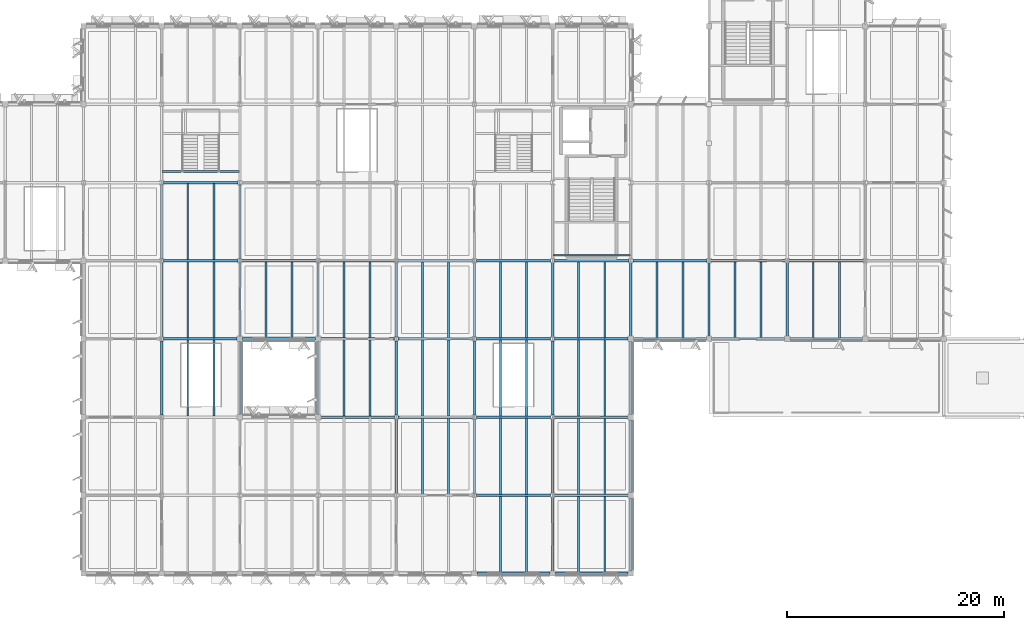
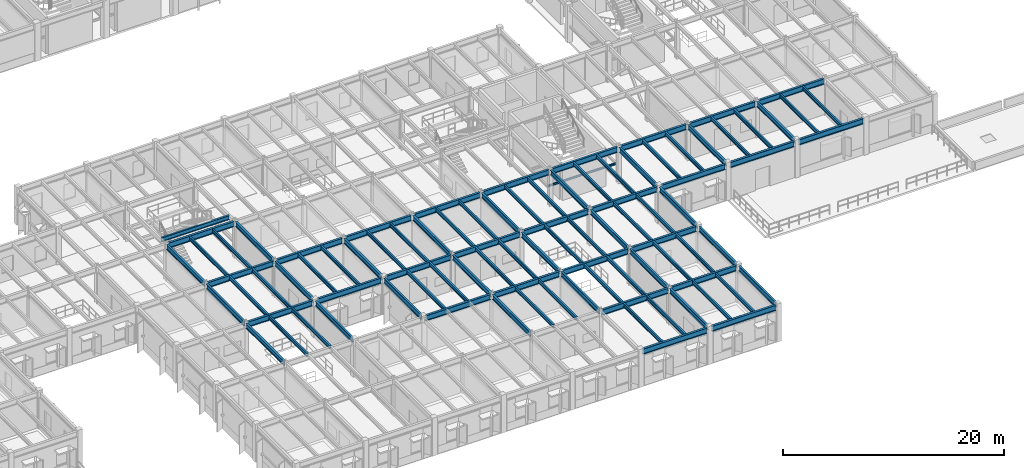
# One storey, part 18 of 85: 93 beams.
"""IFC4 building model written with IfcOpenShell, lengths in metres."""

from ifc_helpers import new_model, si_unit, direction, frame, origin, origin_2d, place, context, subcontext, project, spatial, i_section, extrude, material, material_profile, profile_set, type_object, element, save


model = new_model("IFC4")

# Units and contexts
model_context = context("Model", 3, precision=1e-05, world=origin(), true_north=direction((0.0, 1.0)))
body_context = subcontext(model_context, "Body", "Model", "MODEL_VIEW")
ifc_project = project(units=[si_unit("LENGTHUNIT", "METRE"), si_unit("AREAUNIT", "SQUARE_METRE"), si_unit("VOLUMEUNIT", "CUBIC_METRE"), si_unit("PLANEANGLEUNIT", "RADIAN"), si_unit("MASSUNIT", "GRAM", prefix="KILO")], contexts=[model_context])

# Site, building, storey
site_placement = place(None, origin())
site = spatial("IfcSite", under=ifc_project, at=site_placement, CompositionType="ELEMENT")
building_placement = place(site_placement, origin())
building = spatial("IfcBuilding", under=site, at=building_placement, Name="Sillqori Civic Hall", CompositionType="ELEMENT")
storey_placement = place(building_placement, frame((0.0, 0.0, 9.89990234375)))
storey = spatial("IfcBuildingStorey", under=building, at=storey_placement, Name="L03", CompositionType="ELEMENT", Elevation=9.89990234375)

# Beams
ifc_material = material(Name="Steel ASTM A992", Category="steel")
ifc_material_profile_1 = material_profile(ifc_material, i_section(OverallWidth=0.19091796875, OverallDepth=0.4599609375, WebThickness=0.010009765625, FlangeThickness=0.01611328125, FilletRadius=0.012939453125, at=origin_2d()), Name="W18X55")
ifc_profile_set_1 = profile_set([ifc_material_profile_1], Name="Steel ASTM A992")
beam_type_1 = type_object("IfcBeamType", Name="BM-W18X55", PredefinedType="BEAM", material=ifc_profile_set_1)
beam_1_placement = place(storey_placement, frame((72.0400390625, 44.199951171875, 3.795166015625), z_axis=(1.0, 0.0, 0.0), x_axis=(0.0, 1.0, 0.0)))
element("IfcBeam", 1, at=beam_1_placement, inside=storey, type_object=beam_type_1, Name="Wedge Atrium Upper West Stair L03-L04 upper arrival trimmer beam", PredefinedType="BEAM", context=body_context, shape_type="SweptSolid", body=[
    extrude(i_section(OverallWidth=0.19091796875, OverallDepth=0.4599609375, WebThickness=0.010009765625, FlangeThickness=0.01611328125, FilletRadius=0.012939453125, at=origin_2d()), origin(), (0.0, 0.0, 1.0), 7.119873046875),
])
ifc_material_profile_2 = material_profile(ifc_material, i_section(OverallWidth=0.2099609375, OverallDepth=0.532958984375, WebThickness=0.01025390625, FlangeThickness=0.015625, FilletRadius=0.013916015625, at=origin_2d()), Name="W21X62")
ifc_profile_set_2 = profile_set([ifc_material_profile_2], Name="Steel ASTM A992")
beam_type_2 = type_object("IfcBeamType", Name="BM-W21X62", PredefinedType="BEAM", material=ifc_profile_set_2)
beam_2_placement = place(storey_placement, frame((72.0, 21.7744140625, 3.753662109375), z_axis=(0.0, 1.0, 0.0), x_axis=(-1.0, 0.0, 0.0)))
element("IfcBeam", 2, at=beam_2_placement, inside=storey, type_object=beam_type_2, Name="L03 girder Y 10-3", PredefinedType="BEAM", context=body_context, shape_type="SweptSolid", body=[
    extrude(i_section(OverallWidth=0.2099609375, OverallDepth=0.532958984375, WebThickness=0.01025390625, FlangeThickness=0.015625, FilletRadius=0.013916015625, at=origin_2d()), origin(), (0.0, 0.0, 1.0), 6.85107421875),
])
for number, where, z_axis, x_axis, name in (
    (3, (72.0, 28.974609375, 3.753662109375), (0.0, 1.0, 0.0), (-1.0, 0.0, 0.0), "L03 girder Y 10-4"),
    (4, (72.0, 36.174560546875, 3.753662109375), (0.0, 1.0, 0.0), (-1.0, 0.0, 0.0), "L03 girder Y 10-5"),
):
    element("IfcBeam", number, at=place(storey_placement, frame(where, z_axis=z_axis, x_axis=x_axis)), inside=storey, type_object=beam_type_2, Name=name, PredefinedType="BEAM", context=body_context, shape_type="SweptSolid", body=[
        extrude(i_section(OverallWidth=0.2099609375, OverallDepth=0.532958984375, WebThickness=0.01025390625, FlangeThickness=0.015625, FilletRadius=0.013916015625, at=origin_2d()), origin(), (0.0, 0.0, 1.0), 6.850830078125),
    ])
beam_3_placement = place(storey_placement, frame((79.199951171875, 21.843994140625, 3.753662109375), z_axis=(0.0, 1.0, 0.0), x_axis=(-1.0, 0.0, 0.0)))
element("IfcBeam", 5, at=beam_3_placement, inside=storey, type_object=beam_type_2, Name="L03 girder Y 11-3", PredefinedType="BEAM", context=body_context, shape_type="SweptSolid", body=[
    extrude(i_section(OverallWidth=0.2099609375, OverallDepth=0.532958984375, WebThickness=0.01025390625, FlangeThickness=0.015625, FilletRadius=0.013916015625, at=origin_2d()), origin(), (0.0, 0.0, 1.0), 6.7119140625),
])
beam_4_placement = place(storey_placement, frame((79.199951171875, 29.0439453125, 3.753662109375), z_axis=(0.0, 1.0, 0.0), x_axis=(-1.0, 0.0, 0.0)))
element("IfcBeam", 6, at=beam_4_placement, inside=storey, type_object=beam_type_2, Name="L03 girder Y 11-4", PredefinedType="BEAM", context=body_context, shape_type="SweptSolid", body=[
    extrude(i_section(OverallWidth=0.2099609375, OverallDepth=0.532958984375, WebThickness=0.01025390625, FlangeThickness=0.015625, FilletRadius=0.013916015625, at=origin_2d()), origin(), (0.0, 0.0, 1.0), 6.781494140625),
])
beam_5_placement = place(storey_placement, frame((79.199951171875, 36.174560546875, 3.753662109375), z_axis=(0.0, 1.0, 0.0), x_axis=(-1.0, 0.0, 0.0)))
element("IfcBeam", 7, at=beam_5_placement, inside=storey, type_object=beam_type_2, Name="L03 girder Y 11-5", PredefinedType="BEAM", context=body_context, shape_type="SweptSolid", body=[
    extrude(i_section(OverallWidth=0.2099609375, OverallDepth=0.532958984375, WebThickness=0.01025390625, FlangeThickness=0.015625, FilletRadius=0.013916015625, at=origin_2d()), origin(), (0.0, 0.0, 1.0), 6.850830078125),
])
beam_6_placement = place(storey_placement, frame((86.39990234375, 21.843994140625, 3.753662109375), z_axis=(0.0, 1.0, 0.0), x_axis=(-1.0, 0.0, 0.0)))
element("IfcBeam", 8, at=beam_6_placement, inside=storey, type_object=beam_type_2, Name="L03 girder Y 12-3", PredefinedType="BEAM", context=body_context, shape_type="SweptSolid", body=[
    extrude(i_section(OverallWidth=0.2099609375, OverallDepth=0.532958984375, WebThickness=0.01025390625, FlangeThickness=0.015625, FilletRadius=0.013916015625, at=origin_2d()), origin(), (0.0, 0.0, 1.0), 6.7119140625),
])
beam_7_placement = place(storey_placement, frame((86.39990234375, 29.0439453125, 3.753662109375), z_axis=(0.0, 1.0, 0.0), x_axis=(-1.0, 0.0, 0.0)))
element("IfcBeam", 9, at=beam_7_placement, inside=storey, type_object=beam_type_2, Name="L03 girder Y 12-4", PredefinedType="BEAM", context=body_context, shape_type="SweptSolid", body=[
    extrude(i_section(OverallWidth=0.2099609375, OverallDepth=0.532958984375, WebThickness=0.01025390625, FlangeThickness=0.015625, FilletRadius=0.013916015625, at=origin_2d()), origin(), (0.0, 0.0, 1.0), 6.781494140625),
])
for number, where, z_axis, x_axis, name in (
    (10, (93.60009765625, 14.574462890625, 3.753662109375), (0.0, 1.0, 0.0), (-1.0, 0.0, 0.0), "L03 girder Y 13-2"),
    (11, (93.60009765625, 21.7744140625, 3.753662109375), (0.0, 1.0, 0.0), (-1.0, 0.0, 0.0), "L03 girder Y 13-3"),
):
    element("IfcBeam", number, at=place(storey_placement, frame(where, z_axis=z_axis, x_axis=x_axis)), inside=storey, type_object=beam_type_2, Name=name, PredefinedType="BEAM", context=body_context, shape_type="SweptSolid", body=[
        extrude(i_section(OverallWidth=0.2099609375, OverallDepth=0.532958984375, WebThickness=0.01025390625, FlangeThickness=0.015625, FilletRadius=0.013916015625, at=origin_2d()), origin(), (0.0, 0.0, 1.0), 6.85107421875),
    ])
beam_8_placement = place(storey_placement, frame((93.60009765625, 28.974609375, 3.753662109375), z_axis=(0.0, 1.0, 0.0), x_axis=(-1.0, 0.0, 0.0)))
element("IfcBeam", 12, at=beam_8_placement, inside=storey, type_object=beam_type_2, Name="L03 girder Y 13-4", PredefinedType="BEAM", context=body_context, shape_type="SweptSolid", body=[
    extrude(i_section(OverallWidth=0.2099609375, OverallDepth=0.532958984375, WebThickness=0.01025390625, FlangeThickness=0.015625, FilletRadius=0.013916015625, at=origin_2d()), origin(), (0.0, 0.0, 1.0), 6.850830078125),
])
for number, where, z_axis, x_axis, name in (
    (13, (100.800048828125, 14.574462890625, 3.753662109375), (0.0, 1.0, 0.0), (-1.0, 0.0, 0.0), "L03 girder Y 14-2"),
    (14, (100.800048828125, 21.7744140625, 3.753662109375), (0.0, 1.0, 0.0), (-1.0, 0.0, 0.0), "L03 girder Y 14-3"),
):
    element("IfcBeam", number, at=place(storey_placement, frame(where, z_axis=z_axis, x_axis=x_axis)), inside=storey, type_object=beam_type_2, Name=name, PredefinedType="BEAM", context=body_context, shape_type="SweptSolid", body=[
        extrude(i_section(OverallWidth=0.2099609375, OverallDepth=0.532958984375, WebThickness=0.01025390625, FlangeThickness=0.015625, FilletRadius=0.013916015625, at=origin_2d()), origin(), (0.0, 0.0, 1.0), 6.85107421875),
    ])
beam_9_placement = place(storey_placement, frame((100.800048828125, 28.974609375, 3.753662109375), z_axis=(0.0, 1.0, 0.0), x_axis=(-1.0, 0.0, 0.0)))
element("IfcBeam", 15, at=beam_9_placement, inside=storey, type_object=beam_type_2, Name="L03 girder Y 14-4", PredefinedType="BEAM", context=body_context, shape_type="SweptSolid", body=[
    extrude(i_section(OverallWidth=0.2099609375, OverallDepth=0.532958984375, WebThickness=0.01025390625, FlangeThickness=0.015625, FilletRadius=0.013916015625, at=origin_2d()), origin(), (0.0, 0.0, 1.0), 6.850830078125),
])
beam_10_placement = place(storey_placement, frame((108.0, 7.444091796875, 3.753662109375), z_axis=(0.0, 1.0, 0.0), x_axis=(-1.0, 0.0, 0.0)))
element("IfcBeam", 16, at=beam_10_placement, inside=storey, type_object=beam_type_2, Name="L03 girder Y 15-1", PredefinedType="BEAM", context=body_context, shape_type="SweptSolid", body=[
    extrude(i_section(OverallWidth=0.2099609375, OverallDepth=0.532958984375, WebThickness=0.01025390625, FlangeThickness=0.015625, FilletRadius=0.013916015625, at=origin_2d()), origin(), (0.0, 0.0, 1.0), 6.781494140625),
])
for number, where, z_axis, x_axis, name in (
    (17, (108.0, 14.574462890625, 3.753662109375), (0.0, 1.0, 0.0), (-1.0, 0.0, 0.0), "L03 girder Y 15-2"),
    (18, (108.0, 21.7744140625, 3.753662109375), (0.0, 1.0, 0.0), (-1.0, 0.0, 0.0), "L03 girder Y 15-3"),
):
    element("IfcBeam", number, at=place(storey_placement, frame(where, z_axis=z_axis, x_axis=x_axis)), inside=storey, type_object=beam_type_2, Name=name, PredefinedType="BEAM", context=body_context, shape_type="SweptSolid", body=[
        extrude(i_section(OverallWidth=0.2099609375, OverallDepth=0.532958984375, WebThickness=0.01025390625, FlangeThickness=0.015625, FilletRadius=0.013916015625, at=origin_2d()), origin(), (0.0, 0.0, 1.0), 6.85107421875),
    ])
beam_11_placement = place(storey_placement, frame((108.0, 28.974609375, 3.753662109375), z_axis=(0.0, 1.0, 0.0), x_axis=(-1.0, 0.0, 0.0)))
element("IfcBeam", 19, at=beam_11_placement, inside=storey, type_object=beam_type_2, Name="L03 girder Y 15-4", PredefinedType="BEAM", context=body_context, shape_type="SweptSolid", body=[
    extrude(i_section(OverallWidth=0.2099609375, OverallDepth=0.532958984375, WebThickness=0.01025390625, FlangeThickness=0.015625, FilletRadius=0.013916015625, at=origin_2d()), origin(), (0.0, 0.0, 1.0), 6.850830078125),
])
for number, where, z_axis, x_axis, name in (
    (20, (115.199951171875, 7.444091796875, 3.753662109375), (0.0, 1.0, 0.0), (-1.0, 0.0, 0.0), "L03 girder Y 16-1"),
    (21, (115.199951171875, 14.64404296875, 3.753662109375), (0.0, 1.0, 0.0), (-1.0, 0.0, 0.0), "L03 girder Y 16-2"),
    (22, (115.199951171875, 21.843994140625, 3.753662109375), (0.0, 1.0, 0.0), (-1.0, 0.0, 0.0), "L03 girder Y 16-3"),
):
    element("IfcBeam", number, at=place(storey_placement, frame(where, z_axis=z_axis, x_axis=x_axis)), inside=storey, type_object=beam_type_2, Name=name, PredefinedType="BEAM", context=body_context, shape_type="SweptSolid", body=[
        extrude(i_section(OverallWidth=0.2099609375, OverallDepth=0.532958984375, WebThickness=0.01025390625, FlangeThickness=0.015625, FilletRadius=0.013916015625, at=origin_2d()), origin(), (0.0, 0.0, 1.0), 6.7119140625),
    ])
for number, where, z_axis, x_axis, name in (
    (23, (115.199951171875, 29.0439453125, 3.733642578125), (0.0, 1.0, 0.0), (-1.0, 0.0, 0.0), "L03 girder Y 16-4"),
    (24, (122.39990234375, 29.0439453125, 3.733642578125), (0.0, 1.0, 0.0), (-1.0, 0.0, 0.0), "L03 girder Y 17-4"),
    (25, (129.60009765625, 29.0439453125, 3.733642578125), (0.0, 1.0, 0.0), (-1.0, 0.0, 0.0), "L03 girder Y 18-4"),
):
    element("IfcBeam", number, at=place(storey_placement, frame(where, z_axis=z_axis, x_axis=x_axis)), inside=storey, type_object=beam_type_2, Name=name, PredefinedType="BEAM", context=body_context, shape_type="SweptSolid", body=[
        extrude(i_section(OverallWidth=0.2099609375, OverallDepth=0.532958984375, WebThickness=0.01025390625, FlangeThickness=0.015625, FilletRadius=0.013916015625, at=origin_2d()), origin(), (0.0, 0.0, 1.0), 6.781494140625),
    ])
ifc_material_profile_3 = material_profile(ifc_material, i_section(OverallWidth=0.22802734375, OverallDepth=0.60205078125, WebThickness=0.010498046875, FlangeThickness=0.014892578125, FilletRadius=0.014892578125, at=origin_2d()), Name="W24X68")
ifc_profile_set_3 = profile_set([ifc_material_profile_3], Name="Steel ASTM A992")
beam_type_3 = type_object("IfcBeamType", Name="BM-W24X68", PredefinedType="BEAM", material=ifc_profile_set_3)
beam_12_placement = place(storey_placement, frame((72.179443359375, 28.800048828125, 3.718994140625), z_axis=(1.0, 0.0, 0.0), x_axis=(0.0, 1.0, 0.0)))
element("IfcBeam", 26, at=beam_12_placement, inside=storey, type_object=beam_type_3, Name="L03 girder X 10-4", PredefinedType="BEAM", context=body_context, shape_type="SweptSolid", body=[
    extrude(i_section(OverallWidth=0.22802734375, OverallDepth=0.60205078125, WebThickness=0.010498046875, FlangeThickness=0.014892578125, FilletRadius=0.014892578125, at=origin_2d()), origin(), (0.0, 0.0, 1.0), 6.776611328125),
])
for number, where, z_axis, x_axis, name in (
    (27, (72.179443359375, 36.0, 3.718994140625), (1.0, 0.0, 0.0), (0.0, 1.0, 0.0), "L03 girder X 10-5"),
    (28, (72.179443359375, 43.199951171875, 3.718994140625), (1.0, 0.0, 0.0), (0.0, 1.0, 0.0), "L03 girder X 10-6"),
):
    element("IfcBeam", number, at=place(storey_placement, frame(where, z_axis=z_axis, x_axis=x_axis)), inside=storey, type_object=beam_type_3, Name=name, PredefinedType="BEAM", context=body_context, shape_type="SweptSolid", body=[
        extrude(i_section(OverallWidth=0.22802734375, OverallDepth=0.60205078125, WebThickness=0.010498046875, FlangeThickness=0.014892578125, FilletRadius=0.014892578125, at=origin_2d()), origin(), (0.0, 0.0, 1.0), 6.841064453125),
    ])
beam_13_placement = place(storey_placement, frame((79.444091796875, 28.800048828125, 3.718994140625), z_axis=(1.0, 0.0, 0.0), x_axis=(0.0, 1.0, 0.0)))
element("IfcBeam", 29, at=beam_13_placement, inside=storey, type_object=beam_type_3, Name="L03 girder X 11-4", PredefinedType="BEAM", context=body_context, shape_type="SweptSolid", body=[
    extrude(i_section(OverallWidth=0.22802734375, OverallDepth=0.60205078125, WebThickness=0.010498046875, FlangeThickness=0.014892578125, FilletRadius=0.014892578125, at=origin_2d()), origin(), (0.0, 0.0, 1.0), 6.7119140625),
])
beam_14_placement = place(storey_placement, frame((79.37939453125, 36.0, 3.718994140625), z_axis=(1.0, 0.0, 0.0), x_axis=(0.0, 1.0, 0.0)))
element("IfcBeam", 30, at=beam_14_placement, inside=storey, type_object=beam_type_3, Name="L03 girder X 11-5", PredefinedType="BEAM", context=body_context, shape_type="SweptSolid", body=[
    extrude(i_section(OverallWidth=0.22802734375, OverallDepth=0.60205078125, WebThickness=0.010498046875, FlangeThickness=0.014892578125, FilletRadius=0.014892578125, at=origin_2d()), origin(), (0.0, 0.0, 1.0), 6.841064453125),
])
for number, where, z_axis, x_axis, name in (
    (31, (86.64404296875, 21.60009765625, 3.718994140625), (1.0, 0.0, 0.0), (0.0, 1.0, 0.0), "L03 girder X 12-3"),
    (32, (86.64404296875, 28.800048828125, 3.718994140625), (1.0, 0.0, 0.0), (0.0, 1.0, 0.0), "L03 girder X 12-4"),
):
    element("IfcBeam", number, at=place(storey_placement, frame(where, z_axis=z_axis, x_axis=x_axis)), inside=storey, type_object=beam_type_3, Name=name, PredefinedType="BEAM", context=body_context, shape_type="SweptSolid", body=[
        extrude(i_section(OverallWidth=0.22802734375, OverallDepth=0.60205078125, WebThickness=0.010498046875, FlangeThickness=0.014892578125, FilletRadius=0.014892578125, at=origin_2d()), origin(), (0.0, 0.0, 1.0), 6.7763671875),
    ])
beam_15_placement = place(storey_placement, frame((86.57958984375, 36.0, 3.718994140625), z_axis=(1.0, 0.0, 0.0), x_axis=(0.0, 1.0, 0.0)))
element("IfcBeam", 33, at=beam_15_placement, inside=storey, type_object=beam_type_3, Name="L03 girder X 12-5", PredefinedType="BEAM", context=body_context, shape_type="SweptSolid", body=[
    extrude(i_section(OverallWidth=0.22802734375, OverallDepth=0.60205078125, WebThickness=0.010498046875, FlangeThickness=0.014892578125, FilletRadius=0.014892578125, at=origin_2d()), origin(), (0.0, 0.0, 1.0), 6.8408203125),
])
for number, where, z_axis, x_axis, name in (
    (34, (93.779541015625, 21.60009765625, 3.718994140625), (1.0, 0.0, 0.0), (0.0, 1.0, 0.0), "L03 girder X 13-3"),
    (35, (93.779541015625, 28.800048828125, 3.718994140625), (1.0, 0.0, 0.0), (0.0, 1.0, 0.0), "L03 girder X 13-4"),
    (36, (93.779541015625, 36.0, 3.718994140625), (1.0, 0.0, 0.0), (0.0, 1.0, 0.0), "L03 girder X 13-5"),
):
    element("IfcBeam", number, at=place(storey_placement, frame(where, z_axis=z_axis, x_axis=x_axis)), inside=storey, type_object=beam_type_3, Name=name, PredefinedType="BEAM", context=body_context, shape_type="SweptSolid", body=[
        extrude(i_section(OverallWidth=0.22802734375, OverallDepth=0.60205078125, WebThickness=0.010498046875, FlangeThickness=0.014892578125, FilletRadius=0.014892578125, at=origin_2d()), origin(), (0.0, 0.0, 1.0), 6.841064453125),
    ])
beam_16_placement = place(storey_placement, frame((101.0439453125, 7.199951171875, 3.718994140625), z_axis=(1.0, 0.0, 0.0), x_axis=(0.0, 1.0, 0.0)))
element("IfcBeam", 37, at=beam_16_placement, inside=storey, type_object=beam_type_3, Name="L03 girder X 14-1", PredefinedType="BEAM", context=body_context, shape_type="SweptSolid", body=[
    extrude(i_section(OverallWidth=0.22802734375, OverallDepth=0.60205078125, WebThickness=0.010498046875, FlangeThickness=0.014892578125, FilletRadius=0.014892578125, at=origin_2d()), origin(), (0.0, 0.0, 1.0), 6.712158203125),
])
for number, where, z_axis, x_axis, name in (
    (38, (100.9794921875, 14.39990234375, 3.718994140625), (1.0, 0.0, 0.0), (0.0, 1.0, 0.0), "L03 girder X 14-2"),
    (39, (100.9794921875, 21.60009765625, 3.718994140625), (1.0, 0.0, 0.0), (0.0, 1.0, 0.0), "L03 girder X 14-3"),
    (40, (100.9794921875, 28.800048828125, 3.718994140625), (1.0, 0.0, 0.0), (0.0, 1.0, 0.0), "L03 girder X 14-4"),
    (41, (100.9794921875, 36.0, 3.718994140625), (1.0, 0.0, 0.0), (0.0, 1.0, 0.0), "L03 girder X 14-5"),
):
    element("IfcBeam", number, at=place(storey_placement, frame(where, z_axis=z_axis, x_axis=x_axis)), inside=storey, type_object=beam_type_3, Name=name, PredefinedType="BEAM", context=body_context, shape_type="SweptSolid", body=[
        extrude(i_section(OverallWidth=0.22802734375, OverallDepth=0.60205078125, WebThickness=0.010498046875, FlangeThickness=0.014892578125, FilletRadius=0.014892578125, at=origin_2d()), origin(), (0.0, 0.0, 1.0), 6.841064453125),
    ])
beam_17_placement = place(storey_placement, frame((108.243896484375, 7.199951171875, 3.718994140625), z_axis=(1.0, 0.0, 0.0), x_axis=(0.0, 1.0, 0.0)))
element("IfcBeam", 42, at=beam_17_placement, inside=storey, type_object=beam_type_3, Name="L03 girder X 15-1", PredefinedType="BEAM", context=body_context, shape_type="SweptSolid", body=[
    extrude(i_section(OverallWidth=0.22802734375, OverallDepth=0.60205078125, WebThickness=0.010498046875, FlangeThickness=0.014892578125, FilletRadius=0.014892578125, at=origin_2d()), origin(), (0.0, 0.0, 1.0), 6.712158203125),
])
for number, where, z_axis, x_axis, name in (
    (43, (108.179443359375, 14.39990234375, 3.718994140625), (1.0, 0.0, 0.0), (0.0, 1.0, 0.0), "L03 girder X 15-2"),
    (44, (108.179443359375, 21.60009765625, 3.718994140625), (1.0, 0.0, 0.0), (0.0, 1.0, 0.0), "L03 girder X 15-3"),
    (45, (108.179443359375, 28.800048828125, 3.718994140625), (1.0, 0.0, 0.0), (0.0, 1.0, 0.0), "L03 girder X 15-4"),
):
    element("IfcBeam", number, at=place(storey_placement, frame(where, z_axis=z_axis, x_axis=x_axis)), inside=storey, type_object=beam_type_3, Name=name, PredefinedType="BEAM", context=body_context, shape_type="SweptSolid", body=[
        extrude(i_section(OverallWidth=0.22802734375, OverallDepth=0.60205078125, WebThickness=0.010498046875, FlangeThickness=0.014892578125, FilletRadius=0.014892578125, at=origin_2d()), origin(), (0.0, 0.0, 1.0), 6.776611328125),
    ])
beam_18_placement = place(storey_placement, frame((108.179443359375, 36.0, 3.718994140625), z_axis=(1.0, 0.0, 0.0), x_axis=(0.0, 1.0, 0.0)))
element("IfcBeam", 46, at=beam_18_placement, inside=storey, type_object=beam_type_3, Name="L03 girder X 15-5", PredefinedType="BEAM", context=body_context, shape_type="SweptSolid", body=[
    extrude(i_section(OverallWidth=0.22802734375, OverallDepth=0.60205078125, WebThickness=0.010498046875, FlangeThickness=0.014892578125, FilletRadius=0.014892578125, at=origin_2d()), origin(), (0.0, 0.0, 1.0), 6.841064453125),
])
beam_19_placement = place(storey_placement, frame((115.444091796875, 28.800048828125, 3.69921875), z_axis=(1.0, 0.0, 0.0), x_axis=(0.0, 1.0, 0.0)))
element("IfcBeam", 47, at=beam_19_placement, inside=storey, type_object=beam_type_3, Name="L03 girder X 16-4", PredefinedType="BEAM", context=body_context, shape_type="SweptSolid", body=[
    extrude(i_section(OverallWidth=0.22802734375, OverallDepth=0.60205078125, WebThickness=0.010498046875, FlangeThickness=0.014892578125, FilletRadius=0.014892578125, at=origin_2d()), origin(), (0.0, 0.0, 1.0), 6.7119140625),
])
beam_20_placement = place(storey_placement, frame((115.37939453125, 36.0, 3.69921875), z_axis=(1.0, 0.0, 0.0), x_axis=(0.0, 1.0, 0.0)))
element("IfcBeam", 48, at=beam_20_placement, inside=storey, type_object=beam_type_3, Name="L03 girder X 16-5", PredefinedType="BEAM", context=body_context, shape_type="SweptSolid", body=[
    extrude(i_section(OverallWidth=0.22802734375, OverallDepth=0.60205078125, WebThickness=0.010498046875, FlangeThickness=0.014892578125, FilletRadius=0.014892578125, at=origin_2d()), origin(), (0.0, 0.0, 1.0), 6.841064453125),
])
ifc_material_profile_4 = material_profile(ifc_material, i_section(OverallWidth=0.22900390625, OverallDepth=0.612060546875, WebThickness=0.011962890625, FlangeThickness=0.01953125, FilletRadius=0.014892578125, at=origin_2d()), Name="W24X84")
ifc_profile_set_4 = profile_set([ifc_material_profile_4], Name="Steel ASTM A992")
beam_type_4 = type_object("IfcBeamType", Name="BM-W24X84", PredefinedType="BEAM", material=ifc_profile_set_4)
beam_21_placement = place(storey_placement, frame((122.64404296875, 28.800048828125, 3.694091796875), z_axis=(1.0, 0.0, 0.0), x_axis=(0.0, 1.0, 0.0)))
element("IfcBeam", 49, at=beam_21_placement, inside=storey, type_object=beam_type_4, Name="L03 girder X 17-4", PredefinedType="BEAM", context=body_context, shape_type="SweptSolid", body=[
    extrude(i_section(OverallWidth=0.22900390625, OverallDepth=0.612060546875, WebThickness=0.011962890625, FlangeThickness=0.01953125, FilletRadius=0.014892578125, at=origin_2d()), origin(), (0.0, 0.0, 1.0), 6.7119140625),
])
beam_22_placement = place(storey_placement, frame((122.57958984375, 36.0, 3.694091796875), z_axis=(1.0, 0.0, 0.0), x_axis=(0.0, 1.0, 0.0)))
element("IfcBeam", 50, at=beam_22_placement, inside=storey, type_object=beam_type_4, Name="L03 girder X 17-5", PredefinedType="BEAM", context=body_context, shape_type="SweptSolid", body=[
    extrude(i_section(OverallWidth=0.22900390625, OverallDepth=0.612060546875, WebThickness=0.011962890625, FlangeThickness=0.01953125, FilletRadius=0.014892578125, at=origin_2d()), origin(), (0.0, 0.0, 1.0), 6.8408203125),
])
beam_23_placement = place(storey_placement, frame((129.843994140625, 28.800048828125, 3.694091796875), z_axis=(1.0, 0.0, 0.0), x_axis=(0.0, 1.0, 0.0)))
element("IfcBeam", 51, at=beam_23_placement, inside=storey, type_object=beam_type_4, Name="L03 girder X 18-4", PredefinedType="BEAM", context=body_context, shape_type="SweptSolid", body=[
    extrude(i_section(OverallWidth=0.22900390625, OverallDepth=0.612060546875, WebThickness=0.011962890625, FlangeThickness=0.01953125, FilletRadius=0.014892578125, at=origin_2d()), origin(), (0.0, 0.0, 1.0), 6.7119140625),
])
beam_24_placement = place(storey_placement, frame((129.779541015625, 36.0, 3.694091796875), z_axis=(1.0, 0.0, 0.0), x_axis=(0.0, 1.0, 0.0)))
element("IfcBeam", 52, at=beam_24_placement, inside=storey, type_object=beam_type_4, Name="L03 girder X 18-5", PredefinedType="BEAM", context=body_context, shape_type="SweptSolid", body=[
    extrude(i_section(OverallWidth=0.22900390625, OverallDepth=0.612060546875, WebThickness=0.011962890625, FlangeThickness=0.01953125, FilletRadius=0.014892578125, at=origin_2d()), origin(), (0.0, 0.0, 1.0), 6.841064453125),
])
ifc_material_profile_5 = material_profile(ifc_material, i_section(OverallWidth=0.177978515625, OverallDepth=0.404052734375, WebThickness=0.007568359375, FlangeThickness=0.010986328125, FilletRadius=0.011962890625, at=origin_2d()), Name="W16X36")
ifc_profile_set_5 = profile_set([ifc_material_profile_5], Name="Steel ASTM A992")
beam_type_5 = type_object("IfcBeamType", Name="JS-W16X36", PredefinedType="JOIST", material=ifc_profile_set_5)
for number, where, z_axis, x_axis, name in (
    (53, (74.39990234375, 21.695068359375, 3.818115234375), (0.0, 1.0, 0.0), (-1.0, 0.0, 0.0), "L03 composite joist 10-3.1"),
    (54, (76.800048828125, 21.695068359375, 3.818115234375), (0.0, 1.0, 0.0), (-1.0, 0.0, 0.0), "L03 composite joist 10-3.2"),
    (55, (74.39990234375, 28.89501953125, 3.818115234375), (0.0, 1.0, 0.0), (-1.0, 0.0, 0.0), "L03 composite joist 10-4.1"),
    (56, (76.800048828125, 28.89501953125, 3.818115234375), (0.0, 1.0, 0.0), (-1.0, 0.0, 0.0), "L03 composite joist 10-4.2"),
    (57, (74.39990234375, 36.094970703125, 3.818115234375), (0.0, 1.0, 0.0), (-1.0, 0.0, 0.0), "L03 composite joist 10-5.1"),
    (58, (76.800048828125, 36.094970703125, 3.818115234375), (0.0, 1.0, 0.0), (-1.0, 0.0, 0.0), "L03 composite joist 10-5.2"),
    (59, (81.60009765625, 28.89501953125, 3.818115234375), (0.0, 1.0, 0.0), (-1.0, 0.0, 0.0), "L03 composite joist 11-4.1"),
    (60, (84.0, 28.89501953125, 3.818115234375), (0.0, 1.0, 0.0), (-1.0, 0.0, 0.0), "L03 composite joist 11-4.2"),
    (61, (88.800048828125, 21.695068359375, 3.818115234375), (0.0, 1.0, 0.0), (-1.0, 0.0, 0.0), "L03 composite joist 12-3.1"),
    (62, (91.199951171875, 21.695068359375, 3.818115234375), (0.0, 1.0, 0.0), (-1.0, 0.0, 0.0), "L03 composite joist 12-3.2"),
    (63, (88.800048828125, 28.89501953125, 3.818115234375), (0.0, 1.0, 0.0), (-1.0, 0.0, 0.0), "L03 composite joist 12-4.1"),
    (64, (91.199951171875, 28.89501953125, 3.818115234375), (0.0, 1.0, 0.0), (-1.0, 0.0, 0.0), "L03 composite joist 12-4.2"),
):
    element("IfcBeam", number, at=place(storey_placement, frame(where, z_axis=z_axis, x_axis=x_axis)), inside=storey, type_object=beam_type_5, Name=name, PredefinedType="JOIST", context=body_context, shape_type="SweptSolid", body=[
        extrude(i_section(OverallWidth=0.177978515625, OverallDepth=0.404052734375, WebThickness=0.007568359375, FlangeThickness=0.010986328125, FilletRadius=0.011962890625, at=origin_2d()), origin(), (0.0, 0.0, 1.0), 7.010009765625),
    ])
for number, where, z_axis, x_axis, name in (
    (65, (96.0, 14.4951171875, 3.818115234375), (0.0, 1.0, 0.0), (-1.0, 0.0, 0.0), "L03 composite joist 13-2.1"),
    (66, (98.39990234375, 14.4951171875, 3.818115234375), (0.0, 1.0, 0.0), (-1.0, 0.0, 0.0), "L03 composite joist 13-2.2"),
):
    element("IfcBeam", number, at=place(storey_placement, frame(where, z_axis=z_axis, x_axis=x_axis)), inside=storey, type_object=beam_type_5, Name=name, PredefinedType="JOIST", context=body_context, shape_type="SweptSolid", body=[
        extrude(i_section(OverallWidth=0.177978515625, OverallDepth=0.404052734375, WebThickness=0.007568359375, FlangeThickness=0.010986328125, FilletRadius=0.011962890625, at=origin_2d()), origin(), (0.0, 0.0, 1.0), 7.009765625),
    ])
for number, where, z_axis, x_axis, name in (
    (67, (96.0, 21.695068359375, 3.818115234375), (0.0, 1.0, 0.0), (-1.0, 0.0, 0.0), "L03 composite joist 13-3.1"),
    (68, (98.39990234375, 21.695068359375, 3.818115234375), (0.0, 1.0, 0.0), (-1.0, 0.0, 0.0), "L03 composite joist 13-3.2"),
    (69, (96.0, 28.89501953125, 3.818115234375), (0.0, 1.0, 0.0), (-1.0, 0.0, 0.0), "L03 composite joist 13-4.1"),
    (70, (98.39990234375, 28.89501953125, 3.818115234375), (0.0, 1.0, 0.0), (-1.0, 0.0, 0.0), "L03 composite joist 13-4.2"),
    (71, (103.199951171875, 7.294921875, 3.818115234375), (0.0, 1.0, 0.0), (-1.0, 0.0, 0.0), "L03 composite joist 14-1.1"),
    (72, (105.60009765625, 7.294921875, 3.818115234375), (0.0, 1.0, 0.0), (-1.0, 0.0, 0.0), "L03 composite joist 14-1.2"),
):
    element("IfcBeam", number, at=place(storey_placement, frame(where, z_axis=z_axis, x_axis=x_axis)), inside=storey, type_object=beam_type_5, Name=name, PredefinedType="JOIST", context=body_context, shape_type="SweptSolid", body=[
        extrude(i_section(OverallWidth=0.177978515625, OverallDepth=0.404052734375, WebThickness=0.007568359375, FlangeThickness=0.010986328125, FilletRadius=0.011962890625, at=origin_2d()), origin(), (0.0, 0.0, 1.0), 7.010009765625),
    ])
for number, where, z_axis, x_axis, name in (
    (73, (103.199951171875, 14.4951171875, 3.818115234375), (0.0, 1.0, 0.0), (-1.0, 0.0, 0.0), "L03 composite joist 14-2.1"),
    (74, (105.60009765625, 14.4951171875, 3.818115234375), (0.0, 1.0, 0.0), (-1.0, 0.0, 0.0), "L03 composite joist 14-2.2"),
):
    element("IfcBeam", number, at=place(storey_placement, frame(where, z_axis=z_axis, x_axis=x_axis)), inside=storey, type_object=beam_type_5, Name=name, PredefinedType="JOIST", context=body_context, shape_type="SweptSolid", body=[
        extrude(i_section(OverallWidth=0.177978515625, OverallDepth=0.404052734375, WebThickness=0.007568359375, FlangeThickness=0.010986328125, FilletRadius=0.011962890625, at=origin_2d()), origin(), (0.0, 0.0, 1.0), 7.009765625),
    ])
for number, where, z_axis, x_axis, name in (
    (75, (103.199951171875, 21.695068359375, 3.818115234375), (0.0, 1.0, 0.0), (-1.0, 0.0, 0.0), "L03 composite joist 14-3.1"),
    (76, (105.60009765625, 21.695068359375, 3.818115234375), (0.0, 1.0, 0.0), (-1.0, 0.0, 0.0), "L03 composite joist 14-3.2"),
    (77, (103.199951171875, 28.89501953125, 3.818115234375), (0.0, 1.0, 0.0), (-1.0, 0.0, 0.0), "L03 composite joist 14-4.1"),
    (78, (105.60009765625, 28.89501953125, 3.818115234375), (0.0, 1.0, 0.0), (-1.0, 0.0, 0.0), "L03 composite joist 14-4.2"),
    (79, (110.39990234375, 7.294921875, 3.818115234375), (0.0, 1.0, 0.0), (-1.0, 0.0, 0.0), "L03 composite joist 15-1.1"),
    (80, (112.800048828125, 7.294921875, 3.818115234375), (0.0, 1.0, 0.0), (-1.0, 0.0, 0.0), "L03 composite joist 15-1.2"),
):
    element("IfcBeam", number, at=place(storey_placement, frame(where, z_axis=z_axis, x_axis=x_axis)), inside=storey, type_object=beam_type_5, Name=name, PredefinedType="JOIST", context=body_context, shape_type="SweptSolid", body=[
        extrude(i_section(OverallWidth=0.177978515625, OverallDepth=0.404052734375, WebThickness=0.007568359375, FlangeThickness=0.010986328125, FilletRadius=0.011962890625, at=origin_2d()), origin(), (0.0, 0.0, 1.0), 7.010009765625),
    ])
for number, where, z_axis, x_axis, name in (
    (81, (110.39990234375, 14.4951171875, 3.818115234375), (0.0, 1.0, 0.0), (-1.0, 0.0, 0.0), "L03 composite joist 15-2.1"),
    (82, (112.800048828125, 14.4951171875, 3.818115234375), (0.0, 1.0, 0.0), (-1.0, 0.0, 0.0), "L03 composite joist 15-2.2"),
):
    element("IfcBeam", number, at=place(storey_placement, frame(where, z_axis=z_axis, x_axis=x_axis)), inside=storey, type_object=beam_type_5, Name=name, PredefinedType="JOIST", context=body_context, shape_type="SweptSolid", body=[
        extrude(i_section(OverallWidth=0.177978515625, OverallDepth=0.404052734375, WebThickness=0.007568359375, FlangeThickness=0.010986328125, FilletRadius=0.011962890625, at=origin_2d()), origin(), (0.0, 0.0, 1.0), 7.009765625),
    ])
for number, where, z_axis, x_axis, name in (
    (83, (110.39990234375, 21.695068359375, 3.818115234375), (0.0, 1.0, 0.0), (-1.0, 0.0, 0.0), "L03 composite joist 15-3.1"),
    (84, (112.800048828125, 21.695068359375, 3.818115234375), (0.0, 1.0, 0.0), (-1.0, 0.0, 0.0), "L03 composite joist 15-3.2"),
    (85, (110.39990234375, 28.89501953125, 3.818115234375), (0.0, 1.0, 0.0), (-1.0, 0.0, 0.0), "L03 composite joist 15-4.1"),
    (86, (112.800048828125, 28.89501953125, 3.818115234375), (0.0, 1.0, 0.0), (-1.0, 0.0, 0.0), "L03 composite joist 15-4.2"),
    (87, (117.60009765625, 28.89501953125, 3.798095703125), (0.0, 1.0, 0.0), (-1.0, 0.0, 0.0), "L03 composite joist 16-4.1"),
    (88, (120.0, 28.89501953125, 3.798095703125), (0.0, 1.0, 0.0), (-1.0, 0.0, 0.0), "L03 composite joist 16-4.2"),
    (89, (124.800048828125, 28.89501953125, 3.798095703125), (0.0, 1.0, 0.0), (-1.0, 0.0, 0.0), "L03 composite joist 17-4.1"),
    (90, (127.199951171875, 28.89501953125, 3.798095703125), (0.0, 1.0, 0.0), (-1.0, 0.0, 0.0), "L03 composite joist 17-4.2"),
    (91, (132.0, 28.89501953125, 3.798095703125), (0.0, 1.0, 0.0), (-1.0, 0.0, 0.0), "L03 composite joist 18-4.1"),
    (92, (134.39990234375, 28.89501953125, 3.798095703125), (0.0, 1.0, 0.0), (-1.0, 0.0, 0.0), "L03 composite joist 18-4.2"),
):
    element("IfcBeam", number, at=place(storey_placement, frame(where, z_axis=z_axis, x_axis=x_axis)), inside=storey, type_object=beam_type_5, Name=name, PredefinedType="JOIST", context=body_context, shape_type="SweptSolid", body=[
        extrude(i_section(OverallWidth=0.177978515625, OverallDepth=0.404052734375, WebThickness=0.007568359375, FlangeThickness=0.010986328125, FilletRadius=0.011962890625, at=origin_2d()), origin(), (0.0, 0.0, 1.0), 7.010009765625),
    ])
ifc_material_profile_6 = material_profile(ifc_material, i_section(OverallWidth=0.133056640625, OverallDepth=0.20703125, WebThickness=0.005859375, FlangeThickness=0.00830078125, FilletRadius=0.008056640625, at=origin_2d()), Name="W8X18")
ifc_profile_set_6 = profile_set([ifc_material_profile_6], Name="Steel ASTM A992")
beam_type_6 = type_object("IfcBeamType", Name="LN-W8X18", PredefinedType="LINTEL", material=ifc_profile_set_6)
beam_25_placement = place(storey_placement, frame((108.050048828125, 36.4951171875, 1.78271484375), z_axis=(1.0, 0.0, 0.0), x_axis=(0.0, 1.0, 0.0)))
element("IfcBeam", 93, at=beam_25_placement, inside=storey, type_object=beam_type_6, Name="L03 C3 stair half-landing steel ledger 1.1", PredefinedType="LINTEL", context=body_context, shape_type="SweptSolid", body=[
    extrude(i_section(OverallWidth=0.133056640625, OverallDepth=0.20703125, WebThickness=0.005859375, FlangeThickness=0.00830078125, FilletRadius=0.008056640625, at=origin_2d()), origin(), (0.0, 0.0, 1.0), 7.099853515625),
])

save(model, "model.ifc")
